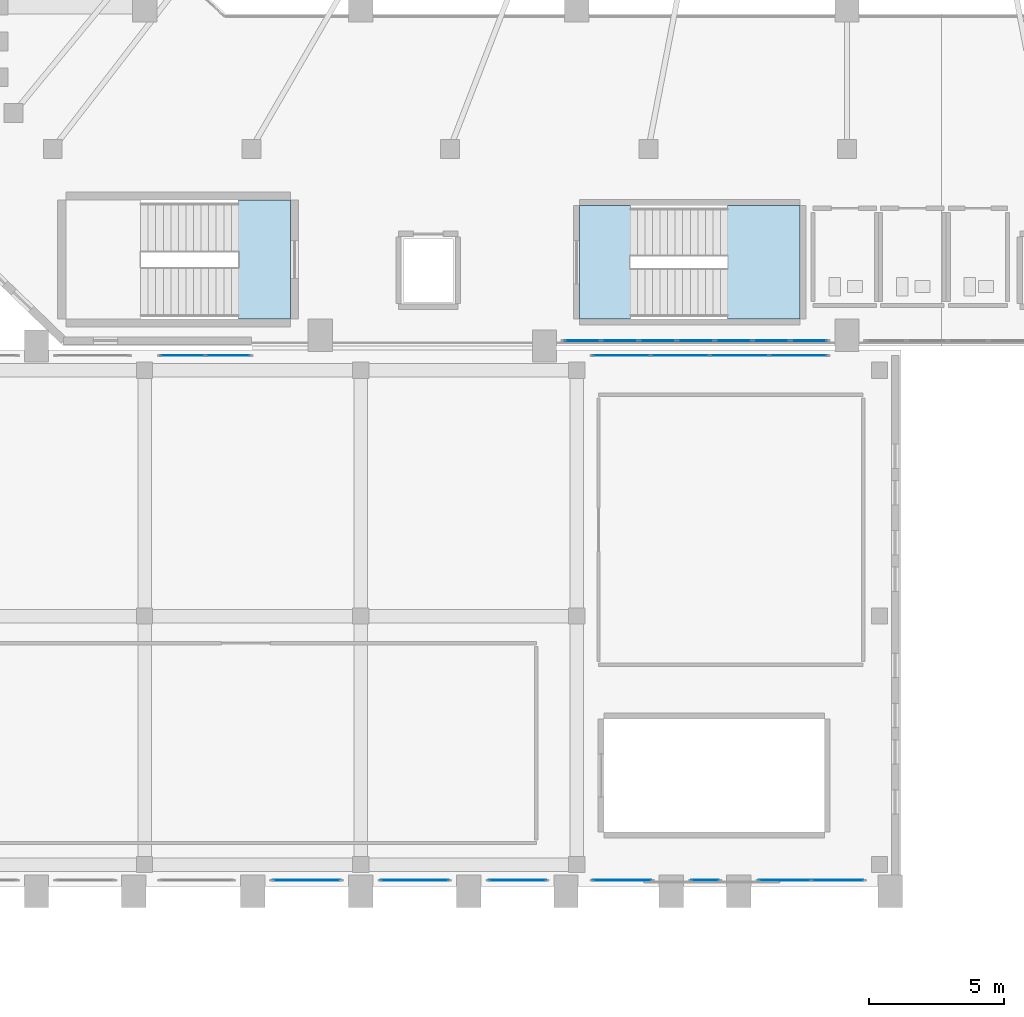
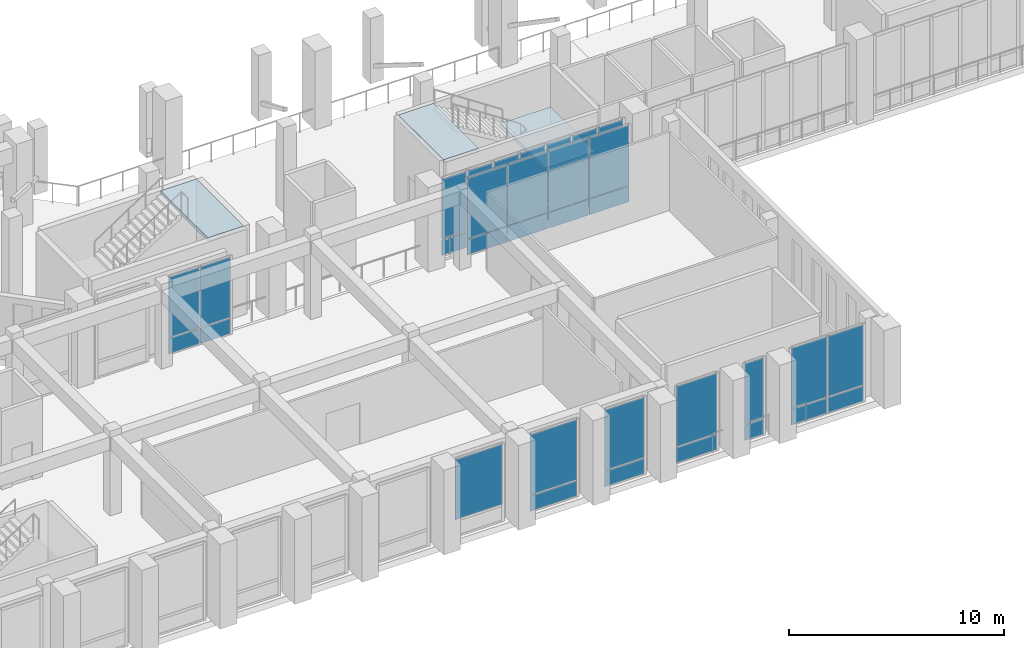
# One storey, part 66 of 126: 39 plates, 3 slabs, 11 elements without a shape of their own.
"""IFC4 building model written with IfcOpenShell, lengths in metres."""

from ifc_helpers import new_model, si_unit, derived_unit, direction, frame, origin, origin_2d, place, context, subcontext, project, spatial, polyline, rectangle, outline, extrude, material, layer, layer_set, type_object, element, aggregate, save


model = new_model("IFC4")

# Units and contexts
model_context = context("Model", 3, precision=1e-05, world=origin(), true_north=direction((0.0, 1.0)))
body_context = subcontext(model_context, "Body", "Model", "MODEL_VIEW")
ifc_project = project(units=[si_unit("LENGTHUNIT", "METRE"), si_unit("AREAUNIT", "SQUARE_METRE"), si_unit("VOLUMEUNIT", "CUBIC_METRE"), si_unit("PLANEANGLEUNIT", "RADIAN"), si_unit("MASSUNIT", "GRAM", prefix="KILO"), derived_unit("THERMALTRANSMITTANCEUNIT", [(si_unit("MASSUNIT", "GRAM", prefix="KILO"), 1), (si_unit("TIMEUNIT", "SECOND"), -3), (si_unit("THERMODYNAMICTEMPERATUREUNIT", "KELVIN"), -1)])], contexts=[model_context])

# Site, building, storey
site_placement = place(None, origin())
site = spatial("IfcSite", under=ifc_project, at=site_placement, CompositionType="ELEMENT")
building_placement = place(site_placement, origin())
building = spatial("IfcBuilding", under=site, at=building_placement, Name="Valcora Ridge Arena", CompositionType="ELEMENT")
storey_placement = place(building_placement, frame((0.0, 0.0, 11.39990234375)))
storey = spatial("IfcBuildingStorey", under=building, at=storey_placement, Name="L02", CompositionType="ELEMENT", Elevation=11.39990234375)

# Stair, slabs
ifc_material_1 = material(Name="Concrete C40/50", Category="concrete")
stair_type_1 = type_object("IfcStairType", Name="TY-STAIR-ES01-48", PredefinedType="HALF_TURN_STAIR", material=ifc_material_1)
stair_1_placement = place(storey_placement, origin())
stair_1 = element("IfcStair", 1, at=stair_1_placement, inside=storey, type_object=stair_type_1, Name="ES01-48 STR-ES-0003", PredefinedType="HALF_TURN_STAIR")
ifc_layer_1 = layer(ifc_material_1, 0.199951171875, Name="Concrete C40/50")
ifc_layer_set_1 = layer_set([ifc_layer_1], Name="Concrete C40/50")
slab_type_1 = type_object("IfcSlabType", Name="TY-LAND-ES01-48", PredefinedType="LANDING", material=ifc_layer_set_1)
slab_1_placement = place(storey_placement, frame((0.0, 0.0, 2.2001953125)))
slab_1 = element("IfcSlab", 2, at=slab_1_placement, type_object=slab_type_1, Name="ES01-48 landing 1", PredefinedType="LANDING", context=body_context, shape_type="SweptSolid", body=[
    extrude(outline(polyline([(53.580078125, 21.001953125), (56.258056640625, 21.001953125), (56.258056640625, 25.197998046875), (53.580078125, 25.197998046875), (53.580078125, 21.001953125)])), origin(), (0.0, 0.0, 1.0), 0.199951171875),
])
slab_2_placement = place(storey_placement, frame((0.0, 0.0, 4.60009765625)))
slab_2 = element("IfcSlab", 3, at=slab_2_placement, type_object=slab_type_1, Name="ES01-48 landing 2", PredefinedType="LANDING", context=body_context, shape_type="SweptSolid", body=[
    extrude(outline(polyline([(48.10205078125, 21.001953125), (49.97998046875, 21.001953125), (49.97998046875, 25.197998046875), (48.10205078125, 25.197998046875), (48.10205078125, 21.001953125)])), origin(), (0.0, 0.0, 1.0), 0.199951171875),
])
aggregate(stair_1, [slab_1, slab_2])

# Stair, slab
stair_type_2 = type_object("IfcStairType", Name="TY-STAIR-ST01-48", PredefinedType="HALF_TURN_STAIR", material=ifc_material_1)
stair_2_placement = place(storey_placement, origin())
stair_2 = element("IfcStair", 4, at=stair_2_placement, inside=storey, type_object=stair_type_2, Name="ST01-48 STR-CR-0004", PredefinedType="HALF_TURN_STAIR")
ifc_layer_2 = layer(ifc_material_1, 0.199951171875, Name="Concrete C40/50")
ifc_layer_set_2 = layer_set([ifc_layer_2], Name="Concrete C40/50")
slab_type_2 = type_object("IfcSlabType", Name="TY-LAND-ST01-48", PredefinedType="LANDING", material=ifc_layer_set_2)
slab_3_placement = place(storey_placement, frame((0.0, 0.0, 4.60009765625)))
slab_3 = element("IfcSlab", 5, at=slab_3_placement, type_object=slab_type_2, Name="ST01-48 landing 2", PredefinedType="LANDING", context=body_context, shape_type="SweptSolid", body=[
    extrude(outline(polyline([(35.469970703125, 21.001953125), (37.39794921875, 21.001953125), (37.39794921875, 25.39794921875), (35.469970703125, 25.39794921875), (35.469970703125, 21.001953125)])), origin(), (0.0, 0.0, 1.0), 0.199951171875),
])
aggregate(stair_2, [slab_3])

# Curtain wall, plates
ifc_material_2 = material(Name="Anodised dark bronze architectural aluminium 6063-T6", Category="aluminium")
ifc_layer_3 = layer(ifc_material_2, 0.14990234375, Name="Anodised dark bronze architectural aluminium 6063-T6")
ifc_layer_set_3 = layer_set([ifc_layer_3], Name="Anodised dark bronze architectural aluminium 6063-T6")
curtain_wall_type_1 = type_object("IfcCurtainWallType", Name="TY-CURTAINWALL-CW-V4-CLUB-011X44", PredefinedType="NOTDEFINED", material=ifc_layer_set_3)
curtain_wall_1_placement = place(storey_placement, origin())
curtain_wall_1 = element("IfcCurtainWall", 6, at=curtain_wall_1_placement, inside=storey, type_object=curtain_wall_type_1, Name="CW-V4-CLUB-011X44 CW-0247", PredefinedType="NOTDEFINED")
ifc_material_3 = material(Name="Low-iron solar-control double glazing SHGC 0.28", Category="glass")
ifc_layer_4 = layer(ifc_material_3, 0.028076171875, Name="Low-iron solar-control double glazing SHGC 0.28")
ifc_layer_set_4 = layer_set([ifc_layer_4], Name="Low-iron solar-control double glazing SHGC 0.28")
plate_type_1 = type_object("IfcPlateType", Name="TY-PLT-CWP-1020X0875", PredefinedType="CURTAIN_PANEL", material=ifc_layer_set_4)
plate_1_placement = place(storey_placement, frame((52.75, 0.219970703125, 0.050048828125), z_axis=(0.0, 0.0, 1.0), x_axis=(1.0, 0.0, 0.0)))
plate_1 = element("IfcPlate", 7, at=plate_1_placement, type_object=plate_type_1, Name="CW-0247/P00-00", PredefinedType="CURTAIN_PANEL", context=body_context, shape_type="SweptSolid", body=[
    extrude(rectangle(XDim=1.02001953125, YDim=0.028076171875, at=origin_2d()), origin(), (0.0, 0.0, 1.0), 0.875),
])
ifc_layer_5 = layer(ifc_material_3, 0.028076171875, Name="Low-iron solar-control double glazing SHGC 0.28")
ifc_layer_set_5 = layer_set([ifc_layer_5], Name="Low-iron solar-control double glazing SHGC 0.28")
plate_type_2 = type_object("IfcPlateType", Name="TY-PLT-CWP-1020X3425", PredefinedType="CURTAIN_PANEL", material=ifc_layer_set_5)
plate_2_placement = place(storey_placement, frame((52.75, 0.219970703125, 0.97509765625), z_axis=(0.0, 0.0, 1.0), x_axis=(1.0, 0.0, 0.0)))
plate_2 = element("IfcPlate", 8, at=plate_2_placement, type_object=plate_type_2, Name="CW-0247/P00-01", PredefinedType="CURTAIN_PANEL", context=body_context, shape_type="SweptSolid", body=[
    extrude(rectangle(XDim=1.02001953125, YDim=0.028076171875, at=origin_2d()), origin(), (0.0, 0.0, 1.0), 3.425048828125),
])
aggregate(curtain_wall_1, [plate_1, plate_2])

ifc_layer_6 = layer(ifc_material_2, 0.179931640625, Name="Anodised dark bronze architectural aluminium 6063-T6")
ifc_layer_set_6 = layer_set([ifc_layer_6], Name="Anodised dark bronze architectural aluminium 6063-T6")
curtain_wall_type_2 = type_object("IfcCurtainWallType", Name="TY-CURTAINWALL-CW-V1-GOTH-098X44", PredefinedType="NOTDEFINED", material=ifc_layer_set_6)
curtain_wall_2_placement = place(storey_placement, origin())
curtain_wall_2 = element("IfcCurtainWall", 9, at=curtain_wall_2_placement, inside=storey, type_object=curtain_wall_type_2, Name="CW-V1-GOTH-098X44 CW-0120", PredefinedType="NOTDEFINED")
ifc_layer_7 = layer(ifc_material_3, 0.031982421875, Name="Low-iron solar-control double glazing SHGC 0.28")
ifc_layer_set_7 = layer_set([ifc_layer_7], Name="Low-iron solar-control double glazing SHGC 0.28")
plate_type_3 = type_object("IfcPlateType", Name="TY-PLT-CWP-1313X0860", PredefinedType="CURTAIN_PANEL", material=ifc_layer_set_7)
plate_3_placement = place(storey_placement, frame((48.20654296875, 20.199951171875, 0.06005859375), z_axis=(0.0, 0.0, 1.0), x_axis=(1.0, 0.0, 0.0)))
plate_3 = element("IfcPlate", 10, at=plate_3_placement, type_object=plate_type_3, Name="CW-0120/P00-00", PredefinedType="CURTAIN_PANEL", context=body_context, shape_type="SweptSolid", body=[
    extrude(rectangle(XDim=1.31298828125, YDim=0.031982421875, at=origin_2d()), origin(), (0.0, 0.0, 1.0), 0.860107421875),
])
plate_4_placement = place(storey_placement, frame((56.593505859375, 20.199951171875, 0.06005859375), z_axis=(0.0, 0.0, 1.0), x_axis=(1.0, 0.0, 0.0)))
plate_4 = element("IfcPlate", 11, at=plate_4_placement, type_object=plate_type_3, Name="CW-0120/P06-00", PredefinedType="CURTAIN_PANEL", context=body_context, shape_type="SweptSolid", body=[
    extrude(rectangle(XDim=1.31298828125, YDim=0.031982421875, at=origin_2d()), origin(), (0.0, 0.0, 1.0), 0.860107421875),
])
ifc_layer_8 = layer(ifc_material_3, 0.031982421875, Name="Low-iron solar-control double glazing SHGC 0.28")
ifc_layer_set_8 = layer_set([ifc_layer_8], Name="Low-iron solar-control double glazing SHGC 0.28")
plate_type_4 = type_object("IfcPlateType", Name="TY-PLT-CWP-1313X3410", PredefinedType="CURTAIN_PANEL", material=ifc_layer_set_8)
plate_5_placement = place(storey_placement, frame((48.20654296875, 20.199951171875, 0.97998046875), z_axis=(0.0, 0.0, 1.0), x_axis=(1.0, 0.0, 0.0)))
plate_5 = element("IfcPlate", 12, at=plate_5_placement, type_object=plate_type_4, Name="CW-0120/P00-01", PredefinedType="CURTAIN_PANEL", context=body_context, shape_type="SweptSolid", body=[
    extrude(rectangle(XDim=1.31298828125, YDim=0.031982421875, at=origin_2d()), origin(), (0.0, 0.0, 1.0), 3.409912109375),
])
plate_6_placement = place(storey_placement, frame((56.593505859375, 20.199951171875, 0.97998046875), z_axis=(0.0, 0.0, 1.0), x_axis=(1.0, 0.0, 0.0)))
plate_6 = element("IfcPlate", 13, at=plate_6_placement, type_object=plate_type_4, Name="CW-0120/P06-01", PredefinedType="CURTAIN_PANEL", context=body_context, shape_type="SweptSolid", body=[
    extrude(rectangle(XDim=1.31298828125, YDim=0.031982421875, at=origin_2d()), origin(), (0.0, 0.0, 1.0), 3.409912109375),
])
ifc_layer_9 = layer(ifc_material_3, 0.031982421875, Name="Low-iron solar-control double glazing SHGC 0.28")
ifc_layer_set_9 = layer_set([ifc_layer_9], Name="Low-iron solar-control double glazing SHGC 0.28")
plate_type_5 = type_object("IfcPlateType", Name="TY-PLT-CWP-1342X0860", PredefinedType="CURTAIN_PANEL", material=ifc_layer_set_9)
plate_7_placement = place(storey_placement, frame((52.39990234375, 20.199951171875, 0.06005859375), z_axis=(0.0, 0.0, 1.0), x_axis=(1.0, 0.0, 0.0)))
plate_7 = element("IfcPlate", 14, at=plate_7_placement, type_object=plate_type_5, Name="CW-0120/P03-00", PredefinedType="CURTAIN_PANEL", context=body_context, shape_type="SweptSolid", body=[
    extrude(rectangle(XDim=1.342041015625, YDim=0.031982421875, at=origin_2d()), origin(), (0.0, 0.0, 1.0), 0.860107421875),
])
ifc_layer_10 = layer(ifc_material_3, 0.031982421875, Name="Low-iron solar-control double glazing SHGC 0.28")
ifc_layer_set_10 = layer_set([ifc_layer_10], Name="Low-iron solar-control double glazing SHGC 0.28")
plate_type_6 = type_object("IfcPlateType", Name="TY-PLT-CWP-1342X3410", PredefinedType="CURTAIN_PANEL", material=ifc_layer_set_10)
plate_8_placement = place(storey_placement, frame((52.39990234375, 20.199951171875, 0.97998046875), z_axis=(0.0, 0.0, 1.0), x_axis=(1.0, 0.0, 0.0)))
plate_8 = element("IfcPlate", 15, at=plate_8_placement, type_object=plate_type_6, Name="CW-0120/P03-01", PredefinedType="CURTAIN_PANEL", context=body_context, shape_type="SweptSolid", body=[
    extrude(rectangle(XDim=1.342041015625, YDim=0.031982421875, at=origin_2d()), origin(), (0.0, 0.0, 1.0), 3.409912109375),
])
ifc_layer_11 = layer(ifc_material_3, 0.031982421875, Name="Low-iron solar-control double glazing SHGC 0.28")
ifc_layer_set_11 = layer_set([ifc_layer_11], Name="Low-iron solar-control double glazing SHGC 0.28")
plate_type_7 = type_object("IfcPlateType", Name="TY-PLT-CWP-1343X0860", PredefinedType="CURTAIN_PANEL", material=ifc_layer_set_11)
plate_9_placement = place(storey_placement, frame((49.594482421875, 20.199951171875, 0.06005859375), z_axis=(0.0, 0.0, 1.0), x_axis=(1.0, 0.0, 0.0)))
plate_9 = element("IfcPlate", 16, at=plate_9_placement, type_object=plate_type_7, Name="CW-0120/P01-00", PredefinedType="CURTAIN_PANEL", context=body_context, shape_type="SweptSolid", body=[
    extrude(rectangle(XDim=1.343017578125, YDim=0.031982421875, at=origin_2d()), origin(), (0.0, 0.0, 1.0), 0.860107421875),
])
plate_10_placement = place(storey_placement, frame((50.99755859375, 20.199951171875, 0.06005859375), z_axis=(0.0, 0.0, 1.0), x_axis=(1.0, 0.0, 0.0)))
plate_10 = element("IfcPlate", 17, at=plate_10_placement, type_object=plate_type_7, Name="CW-0120/P02-00", PredefinedType="CURTAIN_PANEL", context=body_context, shape_type="SweptSolid", body=[
    extrude(rectangle(XDim=1.343017578125, YDim=0.031982421875, at=origin_2d()), origin(), (0.0, 0.0, 1.0), 0.860107421875),
])
plate_11_placement = place(storey_placement, frame((53.802490234375, 20.199951171875, 0.06005859375), z_axis=(0.0, 0.0, 1.0), x_axis=(1.0, 0.0, 0.0)))
plate_11 = element("IfcPlate", 18, at=plate_11_placement, type_object=plate_type_7, Name="CW-0120/P04-00", PredefinedType="CURTAIN_PANEL", context=body_context, shape_type="SweptSolid", body=[
    extrude(rectangle(XDim=1.343017578125, YDim=0.031982421875, at=origin_2d()), origin(), (0.0, 0.0, 1.0), 0.860107421875),
])
plate_12_placement = place(storey_placement, frame((55.20556640625, 20.199951171875, 0.06005859375), z_axis=(0.0, 0.0, 1.0), x_axis=(1.0, 0.0, 0.0)))
plate_12 = element("IfcPlate", 19, at=plate_12_placement, type_object=plate_type_7, Name="CW-0120/P05-00", PredefinedType="CURTAIN_PANEL", context=body_context, shape_type="SweptSolid", body=[
    extrude(rectangle(XDim=1.343017578125, YDim=0.031982421875, at=origin_2d()), origin(), (0.0, 0.0, 1.0), 0.860107421875),
])
ifc_layer_12 = layer(ifc_material_3, 0.031982421875, Name="Low-iron solar-control double glazing SHGC 0.28")
ifc_layer_set_12 = layer_set([ifc_layer_12], Name="Low-iron solar-control double glazing SHGC 0.28")
plate_type_8 = type_object("IfcPlateType", Name="TY-PLT-CWP-1343X3410", PredefinedType="CURTAIN_PANEL", material=ifc_layer_set_12)
plate_13_placement = place(storey_placement, frame((49.594482421875, 20.199951171875, 0.97998046875), z_axis=(0.0, 0.0, 1.0), x_axis=(1.0, 0.0, 0.0)))
plate_13 = element("IfcPlate", 20, at=plate_13_placement, type_object=plate_type_8, Name="CW-0120/P01-01", PredefinedType="CURTAIN_PANEL", context=body_context, shape_type="SweptSolid", body=[
    extrude(rectangle(XDim=1.343017578125, YDim=0.031982421875, at=origin_2d()), origin(), (0.0, 0.0, 1.0), 3.409912109375),
])
plate_14_placement = place(storey_placement, frame((50.99755859375, 20.199951171875, 0.97998046875), z_axis=(0.0, 0.0, 1.0), x_axis=(1.0, 0.0, 0.0)))
plate_14 = element("IfcPlate", 21, at=plate_14_placement, type_object=plate_type_8, Name="CW-0120/P02-01", PredefinedType="CURTAIN_PANEL", context=body_context, shape_type="SweptSolid", body=[
    extrude(rectangle(XDim=1.343017578125, YDim=0.031982421875, at=origin_2d()), origin(), (0.0, 0.0, 1.0), 3.409912109375),
])
plate_15_placement = place(storey_placement, frame((53.802490234375, 20.199951171875, 0.97998046875), z_axis=(0.0, 0.0, 1.0), x_axis=(1.0, 0.0, 0.0)))
plate_15 = element("IfcPlate", 22, at=plate_15_placement, type_object=plate_type_8, Name="CW-0120/P04-01", PredefinedType="CURTAIN_PANEL", context=body_context, shape_type="SweptSolid", body=[
    extrude(rectangle(XDim=1.343017578125, YDim=0.031982421875, at=origin_2d()), origin(), (0.0, 0.0, 1.0), 3.409912109375),
])
plate_16_placement = place(storey_placement, frame((55.20556640625, 20.199951171875, 0.97998046875), z_axis=(0.0, 0.0, 1.0), x_axis=(1.0, 0.0, 0.0)))
plate_16 = element("IfcPlate", 23, at=plate_16_placement, type_object=plate_type_8, Name="CW-0120/P05-01", PredefinedType="CURTAIN_PANEL", context=body_context, shape_type="SweptSolid", body=[
    extrude(rectangle(XDim=1.343017578125, YDim=0.031982421875, at=origin_2d()), origin(), (0.0, 0.0, 1.0), 3.409912109375),
])
aggregate(curtain_wall_2, [plate_3, plate_5, plate_9, plate_13, plate_10, plate_14, plate_7, plate_8, plate_11, plate_15, plate_12, plate_16, plate_4, plate_6])

ifc_layer_13 = layer(ifc_material_2, 0.14990234375, Name="Anodised dark bronze architectural aluminium 6063-T6")
ifc_layer_set_13 = layer_set([ifc_layer_13], Name="Anodised dark bronze architectural aluminium 6063-T6")
curtain_wall_type_3 = type_object("IfcCurtainWallType", Name="TY-CURTAINWALL-CW-V4-CLUB-034X44", PredefinedType="NOTDEFINED", material=ifc_layer_set_13)
curtain_wall_3_placement = place(storey_placement, origin())
curtain_wall_3 = element("IfcCurtainWall", 24, at=curtain_wall_3_placement, inside=storey, type_object=curtain_wall_type_3, Name="CW-V4-CLUB-034X44 CW-0253", PredefinedType="NOTDEFINED")
ifc_layer_14 = layer(ifc_material_3, 0.028076171875, Name="Low-iron solar-control double glazing SHGC 0.28")
ifc_layer_set_14 = layer_set([ifc_layer_14], Name="Low-iron solar-control double glazing SHGC 0.28")
plate_type_9 = type_object("IfcPlateType", Name="TY-PLT-CWP-1630X0875", PredefinedType="CURTAIN_PANEL", material=ifc_layer_set_14)
plate_17_placement = place(storey_placement, frame((33.405029296875, 19.64990234375, 0.050048828125), z_axis=(0.0, 0.0, 1.0), x_axis=(1.0, 0.0, 0.0)))
plate_17 = element("IfcPlate", 25, at=plate_17_placement, type_object=plate_type_9, Name="CW-0253/P00-00", PredefinedType="CURTAIN_PANEL", context=body_context, shape_type="SweptSolid", body=[
    extrude(rectangle(XDim=1.6298828125, YDim=0.028076171875, at=origin_2d()), origin(), (0.0, 0.0, 1.0), 0.875),
])
plate_18_placement = place(storey_placement, frame((35.0849609375, 19.64990234375, 0.050048828125), z_axis=(0.0, 0.0, 1.0), x_axis=(1.0, 0.0, 0.0)))
plate_18 = element("IfcPlate", 26, at=plate_18_placement, type_object=plate_type_9, Name="CW-0253/P01-00", PredefinedType="CURTAIN_PANEL", context=body_context, shape_type="SweptSolid", body=[
    extrude(rectangle(XDim=1.6298828125, YDim=0.028076171875, at=origin_2d()), origin(), (0.0, 0.0, 1.0), 0.875),
])
ifc_layer_15 = layer(ifc_material_3, 0.028076171875, Name="Low-iron solar-control double glazing SHGC 0.28")
ifc_layer_set_15 = layer_set([ifc_layer_15], Name="Low-iron solar-control double glazing SHGC 0.28")
plate_type_10 = type_object("IfcPlateType", Name="TY-PLT-CWP-1630X3425", PredefinedType="CURTAIN_PANEL", material=ifc_layer_set_15)
plate_19_placement = place(storey_placement, frame((33.405029296875, 19.64990234375, 0.97509765625), z_axis=(0.0, 0.0, 1.0), x_axis=(1.0, 0.0, 0.0)))
plate_19 = element("IfcPlate", 27, at=plate_19_placement, type_object=plate_type_10, Name="CW-0253/P00-01", PredefinedType="CURTAIN_PANEL", context=body_context, shape_type="SweptSolid", body=[
    extrude(rectangle(XDim=1.6298828125, YDim=0.028076171875, at=origin_2d()), origin(), (0.0, 0.0, 1.0), 3.425048828125),
])
plate_20_placement = place(storey_placement, frame((35.0849609375, 19.64990234375, 0.97509765625), z_axis=(0.0, 0.0, 1.0), x_axis=(1.0, 0.0, 0.0)))
plate_20 = element("IfcPlate", 28, at=plate_20_placement, type_object=plate_type_10, Name="CW-0253/P01-01", PredefinedType="CURTAIN_PANEL", context=body_context, shape_type="SweptSolid", body=[
    extrude(rectangle(XDim=1.6298828125, YDim=0.028076171875, at=origin_2d()), origin(), (0.0, 0.0, 1.0), 3.425048828125),
])
aggregate(curtain_wall_3, [plate_17, plate_19, plate_18, plate_20])

ifc_layer_16 = layer(ifc_material_2, 0.14990234375, Name="Anodised dark bronze architectural aluminium 6063-T6")
ifc_layer_set_16 = layer_set([ifc_layer_16], Name="Anodised dark bronze architectural aluminium 6063-T6")
curtain_wall_type_4 = type_object("IfcCurtainWallType", Name="TY-CURTAINWALL-CW-V4-CLUB-040X44", PredefinedType="NOTDEFINED", material=ifc_layer_set_16)
curtain_wall_4_placement = place(storey_placement, origin())
curtain_wall_4 = element("IfcCurtainWall", 29, at=curtain_wall_4_placement, inside=storey, type_object=curtain_wall_type_4, Name="CW-V4-CLUB-040X44 CW-0248", PredefinedType="NOTDEFINED")
ifc_layer_17 = layer(ifc_material_3, 0.028076171875, Name="Low-iron solar-control double glazing SHGC 0.28")
ifc_layer_set_17 = layer_set([ifc_layer_17], Name="Low-iron solar-control double glazing SHGC 0.28")
plate_type_11 = type_object("IfcPlateType", Name="TY-PLT-CWP-1910X0875", PredefinedType="CURTAIN_PANEL", material=ifc_layer_set_17)
plate_21_placement = place(storey_placement, frame((55.695068359375, 0.219970703125, 0.050048828125), z_axis=(0.0, 0.0, 1.0), x_axis=(1.0, 0.0, 0.0)))
plate_21 = element("IfcPlate", 30, at=plate_21_placement, type_object=plate_type_11, Name="CW-0248/P00-00", PredefinedType="CURTAIN_PANEL", context=body_context, shape_type="SweptSolid", body=[
    extrude(rectangle(XDim=1.909912109375, YDim=0.028076171875, at=origin_2d()), origin(), (0.0, 0.0, 1.0), 0.875),
])
plate_22_placement = place(storey_placement, frame((57.655029296875, 0.219970703125, 0.050048828125), z_axis=(0.0, 0.0, 1.0), x_axis=(1.0, 0.0, 0.0)))
plate_22 = element("IfcPlate", 31, at=plate_22_placement, type_object=plate_type_11, Name="CW-0248/P01-00", PredefinedType="CURTAIN_PANEL", context=body_context, shape_type="SweptSolid", body=[
    extrude(rectangle(XDim=1.909912109375, YDim=0.028076171875, at=origin_2d()), origin(), (0.0, 0.0, 1.0), 0.875),
])
ifc_layer_18 = layer(ifc_material_3, 0.028076171875, Name="Low-iron solar-control double glazing SHGC 0.28")
ifc_layer_set_18 = layer_set([ifc_layer_18], Name="Low-iron solar-control double glazing SHGC 0.28")
plate_type_12 = type_object("IfcPlateType", Name="TY-PLT-CWP-1910X3425", PredefinedType="CURTAIN_PANEL", material=ifc_layer_set_18)
plate_23_placement = place(storey_placement, frame((55.695068359375, 0.219970703125, 0.97509765625), z_axis=(0.0, 0.0, 1.0), x_axis=(1.0, 0.0, 0.0)))
plate_23 = element("IfcPlate", 32, at=plate_23_placement, type_object=plate_type_12, Name="CW-0248/P00-01", PredefinedType="CURTAIN_PANEL", context=body_context, shape_type="SweptSolid", body=[
    extrude(rectangle(XDim=1.909912109375, YDim=0.028076171875, at=origin_2d()), origin(), (0.0, 0.0, 1.0), 3.425048828125),
])
plate_24_placement = place(storey_placement, frame((57.655029296875, 0.219970703125, 0.97509765625), z_axis=(0.0, 0.0, 1.0), x_axis=(1.0, 0.0, 0.0)))
plate_24 = element("IfcPlate", 33, at=plate_24_placement, type_object=plate_type_12, Name="CW-0248/P01-01", PredefinedType="CURTAIN_PANEL", context=body_context, shape_type="SweptSolid", body=[
    extrude(rectangle(XDim=1.909912109375, YDim=0.028076171875, at=origin_2d()), origin(), (0.0, 0.0, 1.0), 3.425048828125),
])
aggregate(curtain_wall_4, [plate_21, plate_23, plate_22, plate_24])

ifc_layer_19 = layer(ifc_material_2, 0.14990234375, Name="Anodised dark bronze architectural aluminium 6063-T6")
ifc_layer_set_19 = layer_set([ifc_layer_19], Name="Anodised dark bronze architectural aluminium 6063-T6")
curtain_wall_type_5 = type_object("IfcCurtainWallType", Name="TY-CURTAINWALL-CW-V4-CLUB-088X44", PredefinedType="NOTDEFINED", material=ifc_layer_set_19)
curtain_wall_5_placement = place(storey_placement, origin())
curtain_wall_5 = element("IfcCurtainWall", 34, at=curtain_wall_5_placement, inside=storey, type_object=curtain_wall_type_5, Name="CW-V4-CLUB-088X44 CW-0254", PredefinedType="NOTDEFINED")
ifc_layer_20 = layer(ifc_material_3, 0.028076171875, Name="Low-iron solar-control double glazing SHGC 0.28")
ifc_layer_set_20 = layer_set([ifc_layer_20], Name="Low-iron solar-control double glazing SHGC 0.28")
plate_type_13 = type_object("IfcPlateType", Name="TY-PLT-CWP-2117X0875", PredefinedType="CURTAIN_PANEL", material=ifc_layer_set_20)
plate_25_placement = place(storey_placement, frame((49.6484375, 19.64990234375, 0.050048828125), z_axis=(0.0, 0.0, 1.0), x_axis=(1.0, 0.0, 0.0)))
plate_25 = element("IfcPlate", 35, at=plate_25_placement, type_object=plate_type_13, Name="CW-0254/P00-00", PredefinedType="CURTAIN_PANEL", context=body_context, shape_type="SweptSolid", body=[
    extrude(rectangle(XDim=2.116943359375, YDim=0.028076171875, at=origin_2d()), origin(), (0.0, 0.0, 1.0), 0.875),
])
plate_26_placement = place(storey_placement, frame((56.201416015625, 19.64990234375, 0.050048828125), z_axis=(0.0, 0.0, 1.0), x_axis=(1.0, 0.0, 0.0)))
plate_26 = element("IfcPlate", 36, at=plate_26_placement, type_object=plate_type_13, Name="CW-0254/P03-00", PredefinedType="CURTAIN_PANEL", context=body_context, shape_type="SweptSolid", body=[
    extrude(rectangle(XDim=2.116943359375, YDim=0.028076171875, at=origin_2d()), origin(), (0.0, 0.0, 1.0), 0.875),
])
ifc_layer_21 = layer(ifc_material_3, 0.028076171875, Name="Low-iron solar-control double glazing SHGC 0.28")
ifc_layer_set_21 = layer_set([ifc_layer_21], Name="Low-iron solar-control double glazing SHGC 0.28")
plate_type_14 = type_object("IfcPlateType", Name="TY-PLT-CWP-2117X3425", PredefinedType="CURTAIN_PANEL", material=ifc_layer_set_21)
plate_27_placement = place(storey_placement, frame((49.6484375, 19.64990234375, 0.97509765625), z_axis=(0.0, 0.0, 1.0), x_axis=(1.0, 0.0, 0.0)))
plate_27 = element("IfcPlate", 37, at=plate_27_placement, type_object=plate_type_14, Name="CW-0254/P00-01", PredefinedType="CURTAIN_PANEL", context=body_context, shape_type="SweptSolid", body=[
    extrude(rectangle(XDim=2.116943359375, YDim=0.028076171875, at=origin_2d()), origin(), (0.0, 0.0, 1.0), 3.425048828125),
])
plate_28_placement = place(storey_placement, frame((56.201416015625, 19.64990234375, 0.97509765625), z_axis=(0.0, 0.0, 1.0), x_axis=(1.0, 0.0, 0.0)))
plate_28 = element("IfcPlate", 38, at=plate_28_placement, type_object=plate_type_14, Name="CW-0254/P03-01", PredefinedType="CURTAIN_PANEL", context=body_context, shape_type="SweptSolid", body=[
    extrude(rectangle(XDim=2.116943359375, YDim=0.028076171875, at=origin_2d()), origin(), (0.0, 0.0, 1.0), 3.425048828125),
])

ifc_layer_22 = layer(ifc_material_2, 0.14990234375, Name="Anodised dark bronze architectural aluminium 6063-T6")
ifc_layer_set_22 = layer_set([ifc_layer_22], Name="Anodised dark bronze architectural aluminium 6063-T6")
curtain_wall_type_6 = type_object("IfcCurtainWallType", Name="TY-CURTAINWALL-CW-V4-CLUB-022X44", PredefinedType="NOTDEFINED", material=ifc_layer_set_22)
curtain_wall_6_placement = place(storey_placement, origin())
curtain_wall_6 = element("IfcCurtainWall", 39, at=curtain_wall_6_placement, inside=storey, type_object=curtain_wall_type_6, Name="CW-V4-CLUB-022X44 CW-0245", PredefinedType="NOTDEFINED")
ifc_layer_23 = layer(ifc_material_3, 0.028076171875, Name="Low-iron solar-control double glazing SHGC 0.28")
ifc_layer_set_23 = layer_set([ifc_layer_23], Name="Low-iron solar-control double glazing SHGC 0.28")
plate_type_15 = type_object("IfcPlateType", Name="TY-PLT-CWP-2120X0875", PredefinedType="CURTAIN_PANEL", material=ifc_layer_set_23)
plate_29_placement = place(storey_placement, frame((45.800048828125, 0.219970703125, 0.050048828125), z_axis=(0.0, 0.0, 1.0), x_axis=(1.0, 0.0, 0.0)))
plate_29 = element("IfcPlate", 40, at=plate_29_placement, type_object=plate_type_15, Name="CW-0245/P00-00", PredefinedType="CURTAIN_PANEL", context=body_context, shape_type="SweptSolid", body=[
    extrude(rectangle(XDim=2.1201171875, YDim=0.028076171875, at=origin_2d()), origin(), (0.0, 0.0, 1.0), 0.875),
])
ifc_layer_24 = layer(ifc_material_3, 0.028076171875, Name="Low-iron solar-control double glazing SHGC 0.28")
ifc_layer_set_24 = layer_set([ifc_layer_24], Name="Low-iron solar-control double glazing SHGC 0.28")
plate_type_16 = type_object("IfcPlateType", Name="TY-PLT-CWP-2120X3425", PredefinedType="CURTAIN_PANEL", material=ifc_layer_set_24)
plate_30_placement = place(storey_placement, frame((45.800048828125, 0.219970703125, 0.97509765625), z_axis=(0.0, 0.0, 1.0), x_axis=(1.0, 0.0, 0.0)))
plate_30 = element("IfcPlate", 41, at=plate_30_placement, type_object=plate_type_16, Name="CW-0245/P00-01", PredefinedType="CURTAIN_PANEL", context=body_context, shape_type="SweptSolid", body=[
    extrude(rectangle(XDim=2.1201171875, YDim=0.028076171875, at=origin_2d()), origin(), (0.0, 0.0, 1.0), 3.425048828125),
])
aggregate(curtain_wall_6, [plate_29, plate_30])

# Plate
ifc_layer_25 = layer(ifc_material_3, 0.028076171875, Name="Low-iron solar-control double glazing SHGC 0.28")
ifc_layer_set_25 = layer_set([ifc_layer_25], Name="Low-iron solar-control double glazing SHGC 0.28")
plate_type_17 = type_object("IfcPlateType", Name="TY-PLT-CWP-2142X0875", PredefinedType="CURTAIN_PANEL", material=ifc_layer_set_25)
plate_31_placement = place(storey_placement, frame((54.02099609375, 19.64990234375, 0.050048828125), z_axis=(0.0, 0.0, 1.0), x_axis=(1.0, 0.0, 0.0)))
plate_31 = element("IfcPlate", 42, at=plate_31_placement, type_object=plate_type_17, Name="CW-0254/P02-00", PredefinedType="CURTAIN_PANEL", context=body_context, shape_type="SweptSolid", body=[
    extrude(rectangle(XDim=2.14208984375, YDim=0.028076171875, at=origin_2d()), origin(), (0.0, 0.0, 1.0), 0.875),
])

ifc_layer_26 = layer(ifc_material_3, 0.028076171875, Name="Low-iron solar-control double glazing SHGC 0.28")
ifc_layer_set_26 = layer_set([ifc_layer_26], Name="Low-iron solar-control double glazing SHGC 0.28")
plate_type_18 = type_object("IfcPlateType", Name="TY-PLT-CWP-2142X3425", PredefinedType="CURTAIN_PANEL", material=ifc_layer_set_26)
plate_32_placement = place(storey_placement, frame((54.02099609375, 19.64990234375, 0.97509765625), z_axis=(0.0, 0.0, 1.0), x_axis=(1.0, 0.0, 0.0)))
plate_32 = element("IfcPlate", 43, at=plate_32_placement, type_object=plate_type_18, Name="CW-0254/P02-01", PredefinedType="CURTAIN_PANEL", context=body_context, shape_type="SweptSolid", body=[
    extrude(rectangle(XDim=2.14208984375, YDim=0.028076171875, at=origin_2d()), origin(), (0.0, 0.0, 1.0), 3.425048828125),
])

ifc_layer_27 = layer(ifc_material_3, 0.028076171875, Name="Low-iron solar-control double glazing SHGC 0.28")
ifc_layer_set_27 = layer_set([ifc_layer_27], Name="Low-iron solar-control double glazing SHGC 0.28")
plate_type_19 = type_object("IfcPlateType", Name="TY-PLT-CWP-2143X0875", PredefinedType="CURTAIN_PANEL", material=ifc_layer_set_27)
plate_33_placement = place(storey_placement, frame((51.82861328125, 19.64990234375, 0.050048828125), z_axis=(0.0, 0.0, 1.0), x_axis=(1.0, 0.0, 0.0)))
plate_33 = element("IfcPlate", 44, at=plate_33_placement, type_object=plate_type_19, Name="CW-0254/P01-00", PredefinedType="CURTAIN_PANEL", context=body_context, shape_type="SweptSolid", body=[
    extrude(rectangle(XDim=2.14306640625, YDim=0.028076171875, at=origin_2d()), origin(), (0.0, 0.0, 1.0), 0.875),
])

ifc_layer_28 = layer(ifc_material_3, 0.028076171875, Name="Low-iron solar-control double glazing SHGC 0.28")
ifc_layer_set_28 = layer_set([ifc_layer_28], Name="Low-iron solar-control double glazing SHGC 0.28")
plate_type_20 = type_object("IfcPlateType", Name="TY-PLT-CWP-2143X3425", PredefinedType="CURTAIN_PANEL", material=ifc_layer_set_28)
plate_34_placement = place(storey_placement, frame((51.82861328125, 19.64990234375, 0.97509765625), z_axis=(0.0, 0.0, 1.0), x_axis=(1.0, 0.0, 0.0)))
plate_34 = element("IfcPlate", 45, at=plate_34_placement, type_object=plate_type_20, Name="CW-0254/P01-01", PredefinedType="CURTAIN_PANEL", context=body_context, shape_type="SweptSolid", body=[
    extrude(rectangle(XDim=2.14306640625, YDim=0.028076171875, at=origin_2d()), origin(), (0.0, 0.0, 1.0), 3.425048828125),
])

aggregate(curtain_wall_5, [plate_25, plate_27, plate_33, plate_34, plate_31, plate_32, plate_26, plate_28])

# Curtain wall, plates
ifc_layer_29 = layer(ifc_material_2, 0.14990234375, Name="Anodised dark bronze architectural aluminium 6063-T6")
ifc_layer_set_29 = layer_set([ifc_layer_29], Name="Anodised dark bronze architectural aluminium 6063-T6")
curtain_wall_type_7 = type_object("IfcCurtainWallType", Name="TY-CURTAINWALL-CW-V4-CLUB-023X44", PredefinedType="NOTDEFINED", material=ifc_layer_set_29)
curtain_wall_7_placement = place(storey_placement, origin())
curtain_wall_7 = element("IfcCurtainWall", 46, at=curtain_wall_7_placement, inside=storey, type_object=curtain_wall_type_7, Name="CW-V4-CLUB-023X44 CW-0246", PredefinedType="NOTDEFINED")
ifc_layer_30 = layer(ifc_material_3, 0.028076171875, Name="Low-iron solar-control double glazing SHGC 0.28")
ifc_layer_set_30 = layer_set([ifc_layer_30], Name="Low-iron solar-control double glazing SHGC 0.28")
plate_type_21 = type_object("IfcPlateType", Name="TY-PLT-CWP-2170X0875", PredefinedType="CURTAIN_PANEL", material=ifc_layer_set_30)
plate_35_placement = place(storey_placement, frame((49.675048828125, 0.219970703125, 0.050048828125), z_axis=(0.0, 0.0, 1.0), x_axis=(1.0, 0.0, 0.0)))
plate_35 = element("IfcPlate", 47, at=plate_35_placement, type_object=plate_type_21, Name="CW-0246/P00-00", PredefinedType="CURTAIN_PANEL", context=body_context, shape_type="SweptSolid", body=[
    extrude(rectangle(XDim=2.169921875, YDim=0.028076171875, at=origin_2d()), origin(), (0.0, 0.0, 1.0), 0.875),
])
ifc_layer_31 = layer(ifc_material_3, 0.028076171875, Name="Low-iron solar-control double glazing SHGC 0.28")
ifc_layer_set_31 = layer_set([ifc_layer_31], Name="Low-iron solar-control double glazing SHGC 0.28")
plate_type_22 = type_object("IfcPlateType", Name="TY-PLT-CWP-2170X3425", PredefinedType="CURTAIN_PANEL", material=ifc_layer_set_31)
plate_36_placement = place(storey_placement, frame((49.675048828125, 0.219970703125, 0.97509765625), z_axis=(0.0, 0.0, 1.0), x_axis=(1.0, 0.0, 0.0)))
plate_36 = element("IfcPlate", 48, at=plate_36_placement, type_object=plate_type_22, Name="CW-0246/P00-01", PredefinedType="CURTAIN_PANEL", context=body_context, shape_type="SweptSolid", body=[
    extrude(rectangle(XDim=2.169921875, YDim=0.028076171875, at=origin_2d()), origin(), (0.0, 0.0, 1.0), 3.425048828125),
])
aggregate(curtain_wall_7, [plate_35, plate_36])

# Curtain wall, plate
ifc_layer_32 = layer(ifc_material_2, 0.14990234375, Name="Anodised dark bronze architectural aluminium 6063-T6")
ifc_layer_set_32 = layer_set([ifc_layer_32], Name="Anodised dark bronze architectural aluminium 6063-T6")
curtain_wall_type_8 = type_object("IfcCurtainWallType", Name="TY-CURTAINWALL-CW-V4-CLUB-026X44", PredefinedType="NOTDEFINED", material=ifc_layer_set_32)
curtain_wall_8_placement = place(storey_placement, origin())
curtain_wall_8 = element("IfcCurtainWall", 49, at=curtain_wall_8_placement, inside=storey, type_object=curtain_wall_type_8, Name="CW-V4-CLUB-026X44 CW-0244", PredefinedType="NOTDEFINED")
ifc_layer_33 = layer(ifc_material_3, 0.028076171875, Name="Low-iron solar-control double glazing SHGC 0.28")
ifc_layer_set_33 = layer_set([ifc_layer_33], Name="Low-iron solar-control double glazing SHGC 0.28")
plate_type_23 = type_object("IfcPlateType", Name="TY-PLT-CWP-2520X0875", PredefinedType="CURTAIN_PANEL", material=ifc_layer_set_33)
plate_37_placement = place(storey_placement, frame((42.0, 0.219970703125, 0.050048828125), z_axis=(0.0, 0.0, 1.0), x_axis=(1.0, 0.0, 0.0)))
plate_37 = element("IfcPlate", 50, at=plate_37_placement, type_object=plate_type_23, Name="CW-0244/P00-00", PredefinedType="CURTAIN_PANEL", context=body_context, shape_type="SweptSolid", body=[
    extrude(rectangle(XDim=2.52001953125, YDim=0.028076171875, at=origin_2d()), origin(), (0.0, 0.0, 1.0), 0.875),
])

curtain_wall_9_placement = place(storey_placement, origin())
curtain_wall_9 = element("IfcCurtainWall", 51, at=curtain_wall_9_placement, inside=storey, type_object=curtain_wall_type_8, Name="CW-V4-CLUB-026X44 CW-0243", PredefinedType="NOTDEFINED")
ifc_layer_34 = layer(ifc_material_3, 0.028076171875, Name="Low-iron solar-control double glazing SHGC 0.28")
ifc_layer_set_34 = layer_set([ifc_layer_34], Name="Low-iron solar-control double glazing SHGC 0.28")
plate_type_24 = type_object("IfcPlateType", Name="TY-PLT-CWP-2520X3425", PredefinedType="CURTAIN_PANEL", material=ifc_layer_set_34)
plate_38_placement = place(storey_placement, frame((38.0, 0.219970703125, 0.97509765625), z_axis=(0.0, 0.0, 1.0), x_axis=(1.0, 0.0, 0.0)))
plate_38 = element("IfcPlate", 52, at=plate_38_placement, type_object=plate_type_24, Name="CW-0243/P00-01", PredefinedType="CURTAIN_PANEL", context=body_context, shape_type="SweptSolid", body=[
    extrude(rectangle(XDim=2.52001953125, YDim=0.028076171875, at=origin_2d()), origin(), (0.0, 0.0, 1.0), 3.425048828125),
])
aggregate(curtain_wall_9, [plate_38])

# Plate
plate_39_placement = place(storey_placement, frame((42.0, 0.219970703125, 0.97509765625), z_axis=(0.0, 0.0, 1.0), x_axis=(1.0, 0.0, 0.0)))
plate_39 = element("IfcPlate", 53, at=plate_39_placement, type_object=plate_type_24, Name="CW-0244/P00-01", PredefinedType="CURTAIN_PANEL", context=body_context, shape_type="SweptSolid", body=[
    extrude(rectangle(XDim=2.52001953125, YDim=0.028076171875, at=origin_2d()), origin(), (0.0, 0.0, 1.0), 3.425048828125),
])

aggregate(curtain_wall_8, [plate_37, plate_39])

save(model, "model.ifc")
